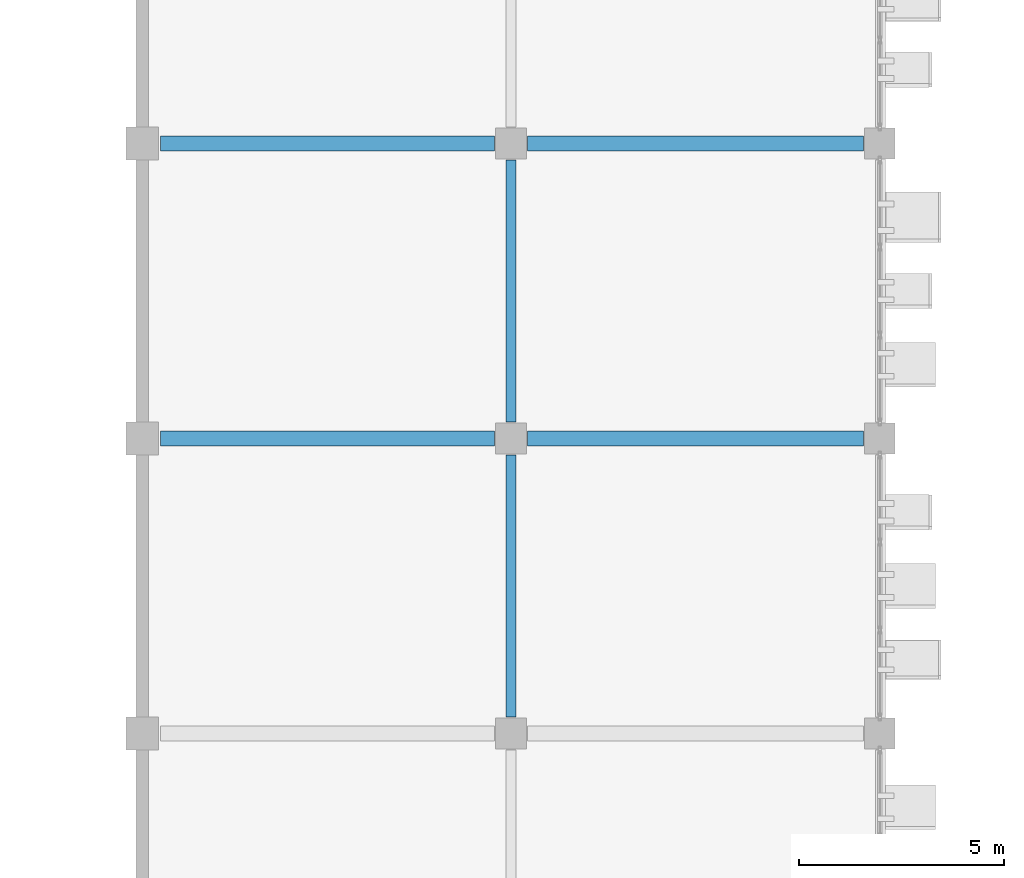
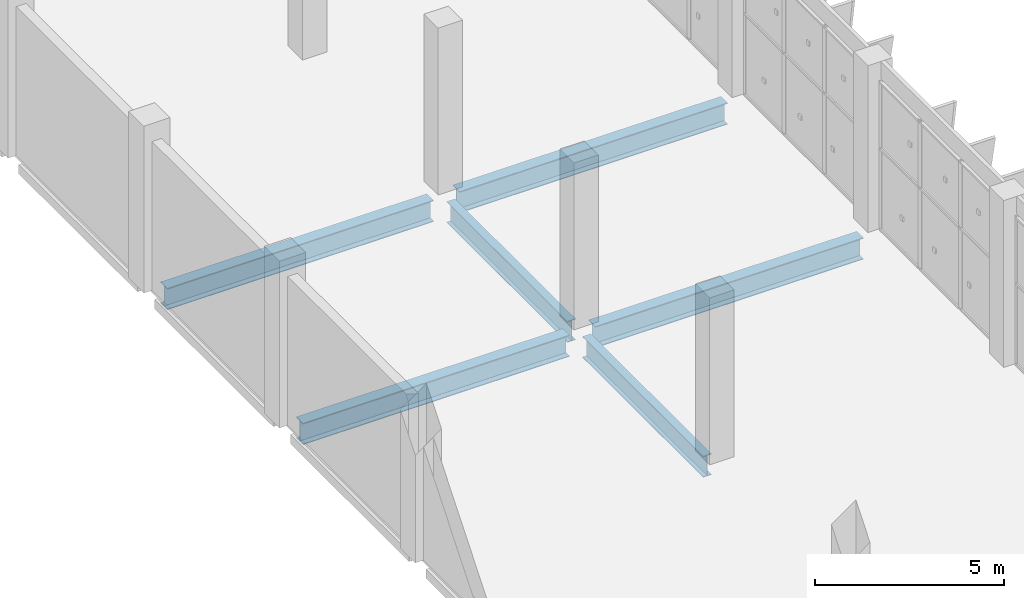
# One storey, part 70 of 189: 6 beams.
"""IFC4 building model written with IfcOpenShell, lengths in metres."""

import ifcopenshell
import ifcopenshell.guid

model = None  # the IFC model being written
_history = None  # IfcOwnerHistory: only IFC2X3 demands one
_inside = {}  # id of a spatial element -> (the spatial element, [elements in it])
_under = {}  # id of a project, library or spatial element -> (it, [spatial elements below it])
_declared = {}  # id of a project -> (the project, [libraries it declares])
_typed = {}  # id of a type object -> (the type object, [elements of that type])
_made_of = {}  # id of a material, layer set ... -> (it, [elements and type objects made of it])


def new_model(schema):
    """Start an empty IFC model of exactly this schema.

    Asked for "IFC4X3", IfcOpenShell would pick the latest addendum, in which some entities
    have other attributes; the version numbers below select the first issue.
    IFC2X3 requires an IfcOwnerHistory on every rooted entity: one is made here for all.
    """
    global model, _history
    if schema == "IFC4X3":
        model = ifcopenshell.file(schema_version=(4, 3, 0, 0))
    else:
        model = ifcopenshell.file(schema=schema)
    _inside.clear()
    _under.clear()
    _declared.clear()
    _typed.clear()
    _made_of.clear()
    _history = None
    if model.schema == "IFC2X3":
        org = make("IfcOrganization", Name="unknown")
        user = make(
            "IfcPersonAndOrganization",
            ThePerson=make("IfcPerson", FamilyName="unknown"),
            TheOrganization=org,
        )
        app = make(
            "IfcApplication",
            ApplicationDeveloper=org,
            Version="unknown",
            ApplicationFullName="unknown",
            ApplicationIdentifier="unknown",
        )
        _history = make(
            "IfcOwnerHistory",
            OwningUser=user,
            OwningApplication=app,
            ChangeAction="ADDED",
            CreationDate=0,
        )
    return model


def make(cls, **values):
    """One entity of the class cls with the attributes given. An attribute that is None is left unset."""
    return model.create_entity(
        cls, **{name: value for name, value in values.items() if value is not None}
    )


def rooted(cls, **values):
    """An entity with a GlobalId (a new one), such as an element, a storey or a relation."""
    return make(cls, GlobalId=ifcopenshell.guid.new(), OwnerHistory=_history, **values)


def si_unit(unit_type, name, prefix=None):
    """IfcSIUnit, for example si_unit("LENGTHUNIT", "METRE", prefix="MILLI")."""
    return make("IfcSIUnit", UnitType=unit_type, Prefix=prefix, Name=name)


def assignment(units):
    """IfcUnitAssignment: the units of a project."""
    return None if units is None else make("IfcUnitAssignment", Units=units)


def point(xyz):
    """IfcCartesianPoint."""
    return None if xyz is None else make("IfcCartesianPoint", Coordinates=xyz)


def direction(xyz):
    """IfcDirection."""
    return None if xyz is None else make("IfcDirection", DirectionRatios=xyz)


def frame(location, z_axis=None, x_axis=None):
    """IfcAxis2Placement3D, a coordinate frame: its origin and axes. An axis left out is left unset."""
    return make(
        "IfcAxis2Placement3D",
        Location=point(location),
        Axis=direction(z_axis),
        RefDirection=direction(x_axis),
    )


def frame_2d(location, x_axis=None):
    """IfcAxis2Placement2D, a coordinate frame in the plane: its origin and x axis."""
    return make(
        "IfcAxis2Placement2D", Location=point(location), RefDirection=direction(x_axis)
    )


def origin():
    """The frame at (0, 0, 0) with its axes left unset."""
    return frame((0.0, 0.0, 0.0))


def origin_2d():
    """The frame at (0, 0) in the plane with its x axis left unset."""
    return frame_2d((0.0, 0.0))


def place(relative_to, where):
    """IfcLocalPlacement: puts the frame where relative to a parent placement (None: the world)."""
    return make(
        "IfcLocalPlacement", PlacementRelTo=relative_to, RelativePlacement=where
    )


def context(
    kind, dimensions, precision=None, world=None, true_north=None, identifier=None
):
    """IfcGeometricRepresentationContext, for example the 3D "Model" context."""
    return make(
        "IfcGeometricRepresentationContext",
        ContextIdentifier=identifier,
        ContextType=kind,
        CoordinateSpaceDimension=dimensions,
        Precision=precision,
        WorldCoordinateSystem=world,
        TrueNorth=true_north,
    )


def subcontext(parent, identifier, kind, view, scale=None):
    """IfcGeometricRepresentationSubContext, for example "Body" below "Model"."""
    return make(
        "IfcGeometricRepresentationSubContext",
        ContextIdentifier=identifier,
        ContextType=kind,
        ParentContext=parent,
        TargetScale=scale,
        TargetView=view,
    )


def project(units=None, contexts=None):
    """IfcProject with its units and contexts."""
    return rooted(
        "IfcProject",
        Name="project",
        RepresentationContexts=contexts,
        UnitsInContext=assignment(units),
    )


def spatial(cls, under=None, at=None, **own):
    """A site, building, storey or space (cls), placed at a placement, below another one or the project."""
    s = rooted(cls, ObjectPlacement=at, **own)
    if under is not None:
        _under.setdefault(under.id(), (under, []))[1].append(s)
    return s


def profile(cls, at=None, kind="AREA", **sizes):
    """A parametric profile (cls). Its sizes go by their IFC names, for example OverallWidth=200.0."""
    return make(cls, ProfileType=kind, Position=at, **sizes)


def i_section(**sizes):
    """IfcIShapeProfileDef."""
    return profile("IfcIShapeProfileDef", **sizes)


def extrude(swept, where, along, depth):
    """IfcExtrudedAreaSolid: the profile swept, set in the frame where, extruded along a direction by depth."""
    return make(
        "IfcExtrudedAreaSolid",
        SweptArea=swept,
        Position=where,
        ExtrudedDirection=direction(along),
        Depth=depth,
    )


def shape(context_of_items, identifier, shape_type, items):
    """IfcShapeRepresentation: the items that make up one representation, for example the "Body"."""
    return make(
        "IfcShapeRepresentation",
        ContextOfItems=context_of_items,
        RepresentationIdentifier=identifier,
        RepresentationType=shape_type,
        Items=items,
    )


def material(Name=None, Category=None):
    """IfcMaterial."""
    return make("IfcMaterial", Name=Name, Category=Category)


def material_profile(
    of_material, cross_section, Name=None, Category=None, Priority=None
):
    """IfcMaterialProfile: a cross section and its material."""
    return make(
        "IfcMaterialProfile",
        Name=Name,
        Material=of_material,
        Profile=cross_section,
        Priority=Priority,
        Category=Category,
    )


def profile_set(profiles, Name=None, composite=None):
    """IfcMaterialProfileSet."""
    return make(
        "IfcMaterialProfileSet",
        Name=Name,
        MaterialProfiles=profiles,
        CompositeProfile=composite,
    )


def made_of(thing, what):
    """Note that an element or type object is made of a material, layer set ...; save() writes the relation."""
    if what is not None:
        _made_of.setdefault(what.id(), (what, []))[1].append(thing)
    return thing


def type_object(cls, material=None, **own):
    """A type object (cls), such as IfcWallType, which elements share."""
    return made_of(rooted(cls, **own), material)


def element(
    cls,
    number,
    at=None,
    inside=None,
    cuts=None,
    type_object=None,
    material=None,
    context=None,
    identifier="Body",
    shape_type=None,
    held_by="IfcProductDefinitionShape",
    body=None,
    shapes=None,
    **own,
):
    """One element of the class cls, such as IfcWall. Its Tag is "e" and its number.

    at: its placement. inside: the storey or other place that contains it. cuts: it is an
    opening in that element (IfcRelVoidsElement). A single representation is given by context,
    identifier, shape_type and body (its items); several are given by shapes. held_by: the class
    of the entity that holds the representations. save() writes the other relations.
    """
    e = rooted(cls, Tag="e%d" % number, ObjectPlacement=at, **own)
    if body is not None:
        shapes = [shape(context, identifier, shape_type, body)]
    if shapes is not None:
        e.Representation = make(held_by, Representations=shapes)
    if inside is not None:
        _inside.setdefault(inside.id(), (inside, []))[1].append(e)
    if cuts is not None:
        rooted(
            "IfcRelVoidsElement", RelatingBuildingElement=cuts, RelatedOpeningElement=e
        )
    if type_object is not None:
        _typed.setdefault(type_object.id(), (type_object, []))[1].append(e)
    return made_of(e, material)


def aggregate(whole, parts):
    """IfcRelAggregates: a whole, such as a stair, and the parts it consists of."""
    return rooted("IfcRelAggregates", RelatingObject=whole, RelatedObjects=parts)


def save(model, path):
    """Write the relations noted so far, then the file.

    IfcRelAggregates (storeys below a building ...), IfcRelContainedInSpatialStructure (elements
    in a storey), IfcRelDefinesByType, IfcRelAssociatesMaterial and IfcRelDeclares: one each for
    every whole, place, type object, material and project.
    """
    for whole, parts in _under.values():
        aggregate(whole, parts)
    for where, things in _inside.values():
        rooted(
            "IfcRelContainedInSpatialStructure",
            RelatedElements=things,
            RelatingStructure=where,
        )
    for kind, things in _typed.values():
        rooted("IfcRelDefinesByType", RelatedObjects=things, RelatingType=kind)
    for what, things in _made_of.values():
        rooted("IfcRelAssociatesMaterial", RelatedObjects=things, RelatingMaterial=what)
    for by, libraries in _declared.values():
        rooted("IfcRelDeclares", RelatingContext=by, RelatedDefinitions=libraries)
    model.write(path)


model = new_model("IFC4")

# Units and contexts
model_context = context("Model", 3, precision=1e-05, world=origin(), true_north=direction((0.0, 1.0)))
body_context = subcontext(model_context, "Body", "Model", "MODEL_VIEW")
ifc_project = project(units=[si_unit("LENGTHUNIT", "METRE"), si_unit("AREAUNIT", "SQUARE_METRE"), si_unit("VOLUMEUNIT", "CUBIC_METRE"), si_unit("PLANEANGLEUNIT", "RADIAN"), si_unit("MASSUNIT", "GRAM", prefix="KILO")], contexts=[model_context])

# Site, building, storey
site_placement = place(None, origin())
site = spatial("IfcSite", under=ifc_project, at=site_placement, CompositionType="ELEMENT")
building_placement = place(site_placement, origin())
building = spatial("IfcBuilding", under=site, at=building_placement, Name="Celestram Park Convention Centre", CompositionType="ELEMENT")
storey_placement = place(building_placement, frame((0.0, 0.0, 5.39990234375)))
storey = spatial("IfcBuildingStorey", under=building, at=storey_placement, Name="L01", CompositionType="ELEMENT", Elevation=5.39990234375)

# Beams
ifc_material = material(Name="Steel ASTM A992 Grade 50", Category="steel")
ifc_material_profile_1 = material_profile(ifc_material, i_section(OverallWidth=0.35595703125, OverallDepth=0.696044921875, WebThickness=0.015380859375, FlangeThickness=0.02490234375, at=origin_2d()), Name="W27X146")
ifc_profile_set_1 = profile_set([ifc_material_profile_1], Name="Steel ASTM A992 Grade 50")
beam_type_1 = type_object("IfcBeamType", Name="STR-BM-W27X146", PredefinedType="BEAM", material=ifc_profile_set_1)
for number, where, z_axis, x_axis, name in (
    (1, (126.447998046875, 86.39990234375, -0.6279296875), (1.0, 0.0, 0.0), (0.0, 1.0, 0.0), "Primary X-girder BG-L01-0265"),
    (2, (126.447998046875, 93.60009765625, -0.6279296875), (1.0, 0.0, 0.0), (0.0, 1.0, 0.0), "Primary X-girder BG-L01-0267"),
):
    element("IfcBeam", number, at=place(storey_placement, frame(where, z_axis=z_axis, x_axis=x_axis)), inside=storey, type_object=beam_type_1, Name=name, PredefinedType="BEAM", context=body_context, shape_type="SweptSolid", body=[
        extrude(i_section(OverallWidth=0.35595703125, OverallDepth=0.696044921875, WebThickness=0.015380859375, FlangeThickness=0.02490234375, at=origin_2d()), origin(), (0.0, 0.0, 1.0), 8.154052734375),
    ])
for number, where, z_axis, x_axis, name in (
    (3, (135.39794921875, 86.39990234375, -0.6279296875), (1.0, 0.0, 0.0), (0.0, 1.0, 0.0), "Primary X-girder BG-L01-0304"),
    (4, (135.39794921875, 93.60009765625, -0.6279296875), (1.0, 0.0, 0.0), (0.0, 1.0, 0.0), "Primary X-girder BG-L01-0306"),
):
    element("IfcBeam", number, at=place(storey_placement, frame(where, z_axis=z_axis, x_axis=x_axis)), inside=storey, type_object=beam_type_1, Name=name, PredefinedType="BEAM", context=body_context, shape_type="SweptSolid", body=[
        extrude(i_section(OverallWidth=0.35595703125, OverallDepth=0.696044921875, WebThickness=0.015380859375, FlangeThickness=0.02490234375, at=origin_2d()), origin(), (0.0, 0.0, 1.0), 8.2041015625),
    ])
ifc_material_profile_2 = material_profile(ifc_material, i_section(OverallWidth=0.25390625, OverallDepth=0.68310546875, WebThickness=0.012451171875, FlangeThickness=0.01904296875, at=origin_2d()), Name="W27X94")
ifc_profile_set_2 = profile_set([ifc_material_profile_2], Name="Steel ASTM A992 Grade 50")
beam_type_2 = type_object("IfcBeamType", Name="STR-BM-W27X94", PredefinedType="BEAM", material=ifc_profile_set_2)
beam_1_placement = place(storey_placement, frame((135.0, 79.597900390625, -0.621337890625), z_axis=(0.0, 1.0, 0.0), x_axis=(-1.0, 0.0, 0.0)))
element("IfcBeam", 5, at=beam_1_placement, inside=storey, type_object=beam_type_2, Name="Primary Y-girder BG-L01-0303", PredefinedType="BEAM", context=body_context, shape_type="SweptSolid", body=[
    extrude(i_section(OverallWidth=0.25390625, OverallDepth=0.68310546875, WebThickness=0.012451171875, FlangeThickness=0.01904296875, at=origin_2d()), origin(), (0.0, 0.0, 1.0), 6.404052734375),
])
beam_2_placement = place(storey_placement, frame((135.0, 86.798095703125, -0.621337890625), z_axis=(0.0, 1.0, 0.0), x_axis=(-1.0, 0.0, 0.0)))
element("IfcBeam", 6, at=beam_2_placement, inside=storey, type_object=beam_type_2, Name="Primary Y-girder BG-L01-0305", PredefinedType="BEAM", context=body_context, shape_type="SweptSolid", body=[
    extrude(i_section(OverallWidth=0.25390625, OverallDepth=0.68310546875, WebThickness=0.012451171875, FlangeThickness=0.01904296875, at=origin_2d()), origin(), (0.0, 0.0, 1.0), 6.40380859375),
])

save(model, "model.ifc")
